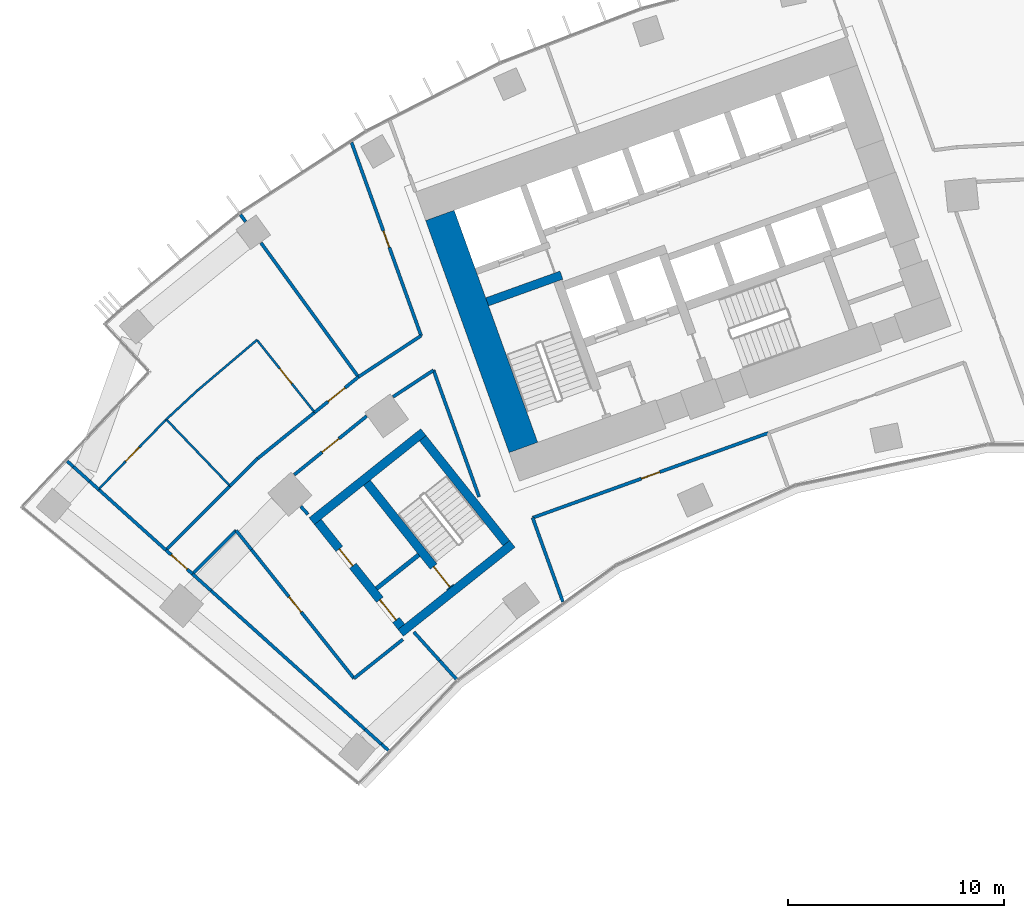
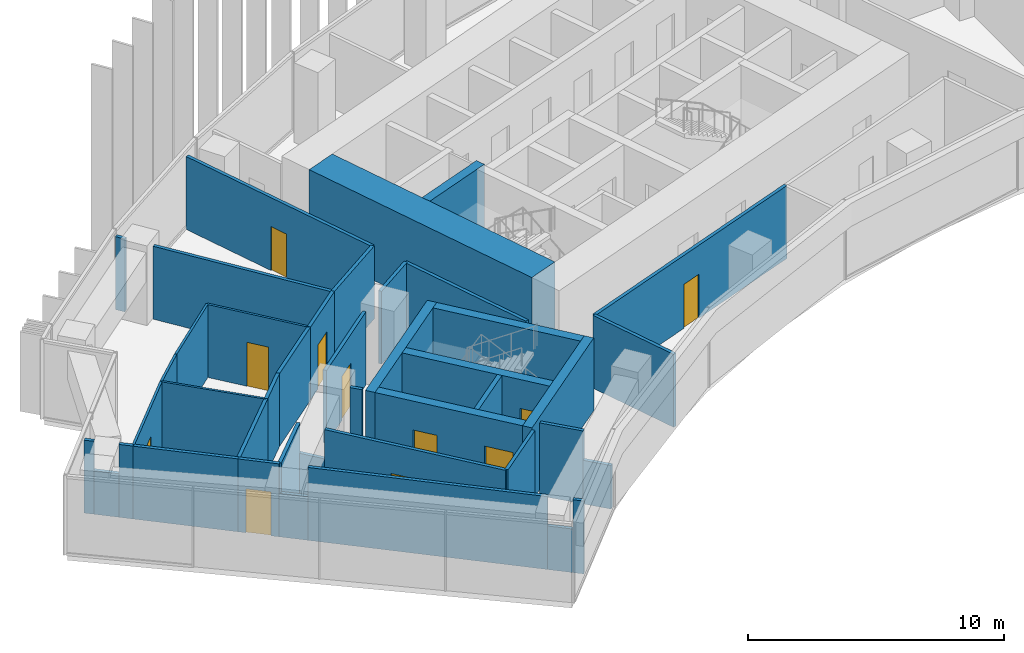
# One storey, part 15 of 22: 42 walls, 11 doors, 11 openings.
"""IFC4 building model written with IfcOpenShell, lengths in metres."""

from ifc_helpers import new_model, si_unit, direction, frame, frame_2d, origin, place, context, subcontext, project, spatial, rectangle, extrude, material, layer, layer_set, type_object, element, fill, save


model = new_model("IFC4")

# Units and contexts
model_context = context("Model", 3, precision=1e-05, world=origin(), true_north=direction((0.0, 1.0)))
body_context = subcontext(model_context, "Body", "Model", "MODEL_VIEW")
ifc_project = project(units=[si_unit("LENGTHUNIT", "METRE"), si_unit("AREAUNIT", "SQUARE_METRE"), si_unit("VOLUMEUNIT", "CUBIC_METRE"), si_unit("PLANEANGLEUNIT", "RADIAN"), si_unit("MASSUNIT", "GRAM", prefix="KILO")], contexts=[model_context])

# Site, building, storey
site_placement = place(None, origin())
site = spatial("IfcSite", under=ifc_project, at=site_placement, CompositionType="ELEMENT")
building_placement = place(site_placement, origin())
building = spatial("IfcBuilding", under=site, at=building_placement, Name="Stone Belt Terrace Tower", CompositionType="ELEMENT")
storey_placement = place(building_placement, frame((0.0, 0.0, 109.800048828125)))
storey = spatial("IfcBuildingStorey", under=building, at=storey_placement, Name="L26", CompositionType="ELEMENT", Elevation=109.800048828125)

# Wall
ifc_material_1 = material(Name="Concrete B80", Category="concrete")
ifc_layer_1 = layer(ifc_material_1, 1.39990234375)
ifc_layer_set_1 = layer_set([ifc_layer_1], Name="Core wall 1400 B80")
wall_type_1 = type_object("IfcWallType", Name="Core wall 1400 B80", PredefinedType="SHEAR", material=ifc_layer_set_1)
wall_1_placement = place(storey_placement, frame((-26.00927734375, 43.03515625, 0.0), z_axis=(0.0, 0.0, 1.0), x_axis=(-0.338625431531, 0.940921259788, 0.0)))
element("IfcWall", 1, at=wall_1_placement, inside=storey, type_object=wall_type_1, Name="Core A wall end_a L26", PredefinedType="SHEAR", context=body_context, shape_type="SweptSolid", body=[
    extrude(rectangle(XDim=11.400146484375, YDim=1.39990234375, at=frame_2d((5.7001953125, 0.0))), origin(), (0.0, 0.0, 1.0), 3.800048828125),
])

# Wall, opening, door
ifc_material_2 = material(Name="Gypsum board partition")
ifc_layer_2 = layer(ifc_material_2, 0.10009765625)
ifc_layer_set_2 = layer_set([ifc_layer_2], Name="PARTITION 100")
wall_type_2 = type_object("IfcWallType", Name="PARTITION 100", PredefinedType="PARTITIONING", material=ifc_layer_set_2)
wall_2_placement = place(storey_placement, frame((-42.51611328125, 44.3330078125, 0.0), z_axis=(0.0, 0.0, 1.0), x_axis=(-0.695786469122, -0.718248696057, 0.0)))
wall_2 = element("IfcWall", 2, at=wall_2_placement, inside=storey, type_object=wall_type_2, Name="L26/wall/i045", PredefinedType="PARTITIONING", context=body_context, shape_type="SweptSolid", body=[
    extrude(rectangle(XDim=4.499755859375, YDim=0.10009765625, at=frame_2d((2.25, 0.0))), origin(), (0.0, 0.0, 1.0), 3.47998046875),
])
opening_1_placement = place(wall_2_placement, frame((1.800048828125, 0.0, 0.0)))
opening_1 = element("IfcOpeningElement", 3, at=opening_1_placement, cuts=wall_2, Name="Opening D-B3-14", PredefinedType="OPENING", context=body_context, shape_type="SweptSolid", body=[
    extrude(rectangle(XDim=0.89990234375, YDim=2.10009765625, at=frame_2d((0.449951171875, 1.050048828125))), frame((0.0, 0.06005859375, 0.0), z_axis=(0.0, -1.0, 0.0), x_axis=(1.0, 0.0, 0.0)), (0.0, 0.0, 1.0), 0.1201171875),
])
ifc_material_3 = material(Name="Timber door leaf", Category="wood")
door_type_1 = type_object("IfcDoorType", Name="OFFICE DOOR 900 X 2100", OperationType="NOTDEFINED", PredefinedType="DOOR", material=ifc_material_3)
door_1_placement = place(opening_1_placement, origin())
door_1 = element("IfcDoor", 4, at=door_1_placement, inside=storey, type_object=door_type_1, Name="L26/door/i14", OperationType="SINGLE_SWING_RIGHT", OverallHeight=2.10009765625, OverallWidth=0.89990234375, PredefinedType="DOOR", context=body_context, shape_type="SweptSolid", body=[
    extrude(rectangle(XDim=0.89990234375, YDim=2.10009765625, at=frame_2d((0.449951171875, 1.050048828125))), frame((0.0, 0.02490234375, 0.0), z_axis=(0.0, -1.0, 0.0), x_axis=(1.0, 0.0, 0.0)), (0.0, 0.0, 1.0), 0.050048828125),
])
fill(opening_1, door_1)

wall_3_placement = place(storey_placement, frame((-35.656005859375, 44.659912109375, 0.0), z_axis=(0.0, 0.0, 1.0), x_axis=(-0.623775758154, 0.781603354356, 0.0)))
wall_3 = element("IfcWall", 5, at=wall_3_placement, inside=storey, type_object=wall_type_2, Name="L26/wall/i046", PredefinedType="PARTITIONING", context=body_context, shape_type="SweptSolid", body=[
    extrude(rectangle(XDim=4.277099609375, YDim=0.10009765625, at=frame_2d((2.138671875, 0.0))), origin(), (0.0, 0.0, 1.0), 3.47998046875),
])
opening_2_placement = place(wall_3_placement, frame((1.6884765625, 0.0, 0.0)))
opening_2 = element("IfcOpeningElement", 6, at=opening_2_placement, cuts=wall_3, Name="Opening D-B3-15", PredefinedType="OPENING", context=body_context, shape_type="SweptSolid", body=[
    extrude(rectangle(XDim=0.89990234375, YDim=2.10009765625, at=frame_2d((0.449951171875, 1.050048828125))), frame((0.0, 0.06005859375, 0.0), z_axis=(0.0, -1.0, 0.0), x_axis=(1.0, 0.0, 0.0)), (0.0, 0.0, 1.0), 0.1201171875),
])
door_2_placement = place(opening_2_placement, origin())
door_2 = element("IfcDoor", 7, at=door_2_placement, inside=storey, type_object=door_type_1, Name="L26/door/i15", OperationType="SINGLE_SWING_RIGHT", OverallHeight=2.10009765625, OverallWidth=0.89990234375, PredefinedType="DOOR", context=body_context, shape_type="SweptSolid", body=[
    extrude(rectangle(XDim=0.89990234375, YDim=2.10009765625, at=frame_2d((0.449951171875, 1.050048828125))), frame((0.0, 0.02490234375, 0.0), z_axis=(0.0, -1.0, 0.0), x_axis=(1.0, 0.0, 0.0)), (0.0, 0.0, 1.0), 0.050048828125),
])
fill(opening_2, door_2)

# Walls
wall_4_placement = place(storey_placement, frame((-38.323974609375, 48.0029296875, 0.0), z_axis=(0.0, 0.0, 1.0), x_axis=(-0.762559241706, -0.646918389667, 0.0)))
element("IfcWall", 8, at=wall_4_placement, inside=storey, type_object=wall_type_2, Name="L26/wall/i047", PredefinedType="PARTITIONING", context=body_context, shape_type="SweptSolid", body=[
    extrude(rectangle(XDim=3.641845703125, YDim=0.10009765625, at=frame_2d((1.82080078125, 0.0))), origin(), (0.0, 0.0, 1.0), 3.47998046875),
])
wall_5_placement = place(storey_placement, frame((-41.10107421875, 45.64697265625, 0.0), z_axis=(0.0, 0.0, 1.0), x_axis=(-0.732793491626, -0.680451099367, 0.0)))
element("IfcWall", 9, at=wall_5_placement, inside=storey, type_object=wall_type_2, Name="L26/wall/i048", PredefinedType="PARTITIONING", context=body_context, shape_type="SweptSolid", body=[
    extrude(rectangle(XDim=1.930908203125, YDim=0.10009765625, at=frame_2d((0.96533203125, 0.0))), origin(), (0.0, 0.0, 1.0), 3.47998046875),
])
wall_6_placement = place(storey_placement, frame((-42.51611328125, 44.3330078125, 0.0), z_axis=(0.0, 0.0, 1.0), x_axis=(0.692188688201, -0.72171657867, 0.0)))
element("IfcWall", 10, at=wall_6_placement, inside=storey, type_object=wall_type_2, Name="L26/wall/i049", PredefinedType="PARTITIONING", context=body_context, shape_type="SweptSolid", body=[
    extrude(rectangle(XDim=4.266357421875, YDim=0.10009765625, at=frame_2d((2.13330078125, 0.0))), origin(), (0.0, 0.0, 1.0), 3.47998046875),
])
ifc_layer_3 = layer(ifc_material_2, 0.14990234375)
ifc_layer_set_3 = layer_set([ifc_layer_3], Name="PARTITION 150 EI 60")
wall_type_3 = type_object("IfcWallType", Name="PARTITION 150 EI 60", PredefinedType="PARTITIONING", material=ifc_layer_set_3)
wall_7_placement = place(storey_placement, frame((-25.5859375, 39.79296875, 0.0), z_axis=(0.0, 0.0, 1.0), x_axis=(0.338545933013, -0.940949866486, 0.0)))
element("IfcWall", 11, at=wall_7_placement, inside=storey, type_object=wall_type_3, Name="L26/wall/i001", PredefinedType="PARTITIONING", context=body_context, shape_type="SweptSolid", body=[
    extrude(rectangle(XDim=4.135009765625, YDim=0.14990234375, at=frame_2d((2.0673828125, 0.0))), origin(), (0.0, 0.0, 1.0), 3.47998046875),
])
wall_8_placement = place(storey_placement, frame((-28.05810546875, 40.75390625, 0.0), z_axis=(0.0, 0.0, 1.0), x_axis=(-0.338523697563, 0.94095786632, 0.0)))
element("IfcWall", 12, at=wall_8_placement, inside=storey, type_object=wall_type_3, Name="L26/wall/i003", PredefinedType="PARTITIONING", context=body_context, shape_type="SweptSolid", body=[
    extrude(rectangle(XDim=6.226806640625, YDim=0.14990234375, at=frame_2d((3.11328125, 0.0))), origin(), (0.0, 0.0, 1.0), 3.47998046875),
])
wall_9_placement = place(storey_placement, frame((-29.107177734375, 32.32666015625, 0.0), z_axis=(0.0, 0.0, 1.0), x_axis=(-0.669175967733, 0.743103979406, 0.0)))
element("IfcWall", 13, at=wall_9_placement, inside=storey, type_object=wall_type_3, Name="L26/wall/i004-2", PredefinedType="PARTITIONING", context=body_context, shape_type="SweptSolid", body=[
    extrude(rectangle(XDim=1.149169921875, YDim=0.14990234375, at=frame_2d((0.57470703125, 0.0))), origin(), (0.0, 0.0, 1.0), 2.079833984375),
])
wall_10_placement = place(storey_placement, frame((-29.876220703125, 33.1806640625, 0.0), z_axis=(0.0, 0.0, 1.0), x_axis=(-0.669289560428, 0.743001671803, 0.0)))
element("IfcWall", 14, at=wall_10_placement, inside=storey, type_object=wall_type_3, Name="L26/wall/i004-3", PredefinedType="PARTITIONING", context=body_context, shape_type="SweptSolid", body=[
    extrude(rectangle(XDim=1.78515625, YDim=0.14990234375, at=frame_2d((0.892578125, 0.0))), origin(), (0.0, 0.0, 1.0), 3.47998046875),
])

# Wall, opening, door
wall_11_placement = place(storey_placement, frame((-30.737060546875, 48.197021484375, 0.0), z_axis=(0.0, 0.0, 1.0), x_axis=(-0.338586530295, 0.940935258933, 0.0)))
wall_11 = element("IfcWall", 15, at=wall_11_placement, inside=storey, type_object=wall_type_3, Name="L26/wall/i005", PredefinedType="PARTITIONING", context=body_context, shape_type="SweptSolid", body=[
    extrude(rectangle(XDim=9.494873046875, YDim=0.14990234375, at=frame_2d((4.74755859375, 0.0))), origin(), (0.0, 0.0, 1.0), 3.47998046875),
])
opening_3_placement = place(wall_11_placement, frame((4.347412109375, 0.0, 0.0)))
opening_3 = element("IfcOpeningElement", 16, at=opening_3_placement, cuts=wall_11, Name="Opening D-B3-12", PredefinedType="OPENING", context=body_context, shape_type="SweptSolid", body=[
    extrude(rectangle(XDim=0.800048828125, YDim=2.10009765625, at=frame_2d((0.39990234375, 1.050048828125))), frame((0.0, 0.0849609375, 0.0), z_axis=(0.0, -1.0, 0.0), x_axis=(1.0, 0.0, 0.0)), (0.0, 0.0, 1.0), 0.169921875),
])
door_type_2 = type_object("IfcDoorType", Name="STORE DOOR 800 X 2100", OperationType="NOTDEFINED", PredefinedType="DOOR", material=ifc_material_3)
door_3_placement = place(opening_3_placement, origin())
door_3 = element("IfcDoor", 17, at=door_3_placement, inside=storey, type_object=door_type_2, Name="L26/door/i12", OperationType="SINGLE_SWING_RIGHT", OverallHeight=2.10009765625, OverallWidth=0.800048828125, PredefinedType="DOOR", context=body_context, shape_type="SweptSolid", body=[
    extrude(rectangle(XDim=0.800048828125, YDim=2.10009765625, at=frame_2d((0.39990234375, 1.050048828125))), frame((0.0, 0.02490234375, 0.0), z_axis=(0.0, -1.0, 0.0), x_axis=(1.0, 0.0, 0.0)), (0.0, 0.0, 1.0), 0.050048828125),
])
fill(opening_3, door_3)

wall_12_placement = place(storey_placement, frame((-14.68603515625, 43.708984375, 0.0), z_axis=(0.0, 0.0, 1.0), x_axis=(-0.940925563116, -0.338613473854, 0.0)))
wall_12 = element("IfcWall", 18, at=wall_12_placement, inside=storey, type_object=wall_type_3, Name="L26/wall/i010", PredefinedType="PARTITIONING", context=body_context, shape_type="SweptSolid", body=[
    extrude(rectangle(XDim=11.582275390625, YDim=0.14990234375, at=frame_2d((5.791015625, 0.0))), origin(), (0.0, 0.0, 1.0), 3.47998046875),
])
opening_4_placement = place(wall_12_placement, frame((5.341064453125, 0.0, 0.0)))
opening_4 = element("IfcOpeningElement", 19, at=opening_4_placement, cuts=wall_12, Name="Opening D-B3-01", PredefinedType="OPENING", context=body_context, shape_type="SweptSolid", body=[
    extrude(rectangle(XDim=0.89990234375, YDim=2.10009765625, at=frame_2d((0.449951171875, 1.050048828125))), frame((0.0, 0.0849609375, 0.0), z_axis=(0.0, -1.0, 0.0), x_axis=(1.0, 0.0, 0.0)), (0.0, 0.0, 1.0), 0.169921875),
])
door_4_placement = place(opening_4_placement, origin())
door_4 = element("IfcDoor", 20, at=door_4_placement, inside=storey, type_object=door_type_1, Name="L26/door/i01", OperationType="SINGLE_SWING_RIGHT", OverallHeight=2.10009765625, OverallWidth=0.89990234375, PredefinedType="DOOR", context=body_context, shape_type="SweptSolid", body=[
    extrude(rectangle(XDim=0.89990234375, YDim=2.10009765625, at=frame_2d((0.449951171875, 1.050048828125))), frame((0.0, 0.02490234375, 0.0), z_axis=(0.0, -1.0, 0.0), x_axis=(1.0, 0.0, 0.0)), (0.0, 0.0, 1.0), 0.050048828125),
])
fill(opening_4, door_4)

wall_13_placement = place(storey_placement, frame((-41.2958984375, 37.18310546875, 0.0), z_axis=(0.0, 0.0, 1.0), x_axis=(-0.74296518681, 0.669330061471, 0.0)))
wall_13 = element("IfcWall", 21, at=wall_13_placement, inside=storey, type_object=wall_type_3, Name="L26/wall/i028", PredefinedType="PARTITIONING", context=body_context, shape_type="SweptSolid", body=[
    extrude(rectangle(XDim=1.6611328125, YDim=0.14990234375, at=frame_2d((0.83056640625, 0.0))), origin(), (0.0, 0.0, 1.0), 3.47998046875),
])
opening_5_placement = place(wall_13_placement, frame((0.33056640625, 0.0, 0.0)))
opening_5 = element("IfcOpeningElement", 22, at=opening_5_placement, cuts=wall_13, Name="Opening D-B3-09", PredefinedType="OPENING", context=body_context, shape_type="SweptSolid", body=[
    extrude(rectangle(XDim=1.0, YDim=2.10009765625, at=frame_2d((0.5, 1.050048828125))), frame((0.0, 0.0849609375, 0.0), z_axis=(0.0, -1.0, 0.0), x_axis=(1.0, 0.0, 0.0)), (0.0, 0.0, 1.0), 0.169921875),
])
ifc_material_4 = material(Name="Timber fire door leaf", Category="wood")
door_type_3 = type_object("IfcDoorType", Name="TENANCY ENTRANCE DOOR 1000 X 2100", OperationType="NOTDEFINED", PredefinedType="DOOR", material=ifc_material_4)
door_5_placement = place(opening_5_placement, origin())
door_5 = element("IfcDoor", 23, at=door_5_placement, inside=storey, type_object=door_type_3, Name="L26/door/i09", OperationType="SINGLE_SWING_RIGHT", OverallHeight=2.10009765625, OverallWidth=1.0, PredefinedType="DOOR", context=body_context, shape_type="SweptSolid", body=[
    extrude(rectangle(XDim=1.0, YDim=2.10009765625, at=frame_2d((0.5, 1.050048828125))), frame((0.0, 0.02490234375, 0.0), z_axis=(0.0, -1.0, 0.0), x_axis=(1.0, 0.0, 0.0)), (0.0, 0.0, 1.0), 0.050048828125),
])
fill(opening_5, door_5)

# Walls
wall_14_placement = place(storey_placement, frame((-41.303955078125, 37.19091796875, 0.0), z_axis=(0.0, 0.0, 1.0), x_axis=(0.743220796128, -0.669046222769, 0.0)))
element("IfcWall", 24, at=wall_14_placement, inside=storey, type_object=wall_type_3, Name="L26/wall/i029-2", PredefinedType="PARTITIONING", context=body_context, shape_type="SweptSolid", body=[
    extrude(rectangle(XDim=1.15869140625, YDim=0.14990234375, at=frame_2d((0.579345703125, 0.0))), origin(), (0.0, 0.0, 1.0), 2.079833984375),
])
wall_15_placement = place(storey_placement, frame((-40.44287109375, 36.415771484375, 0.0), z_axis=(0.0, 0.0, 1.0), x_axis=(0.743112809487, -0.669166162007, 0.0)))
element("IfcWall", 25, at=wall_15_placement, inside=storey, type_object=wall_type_3, Name="L26/wall/i029-3", PredefinedType="PARTITIONING", context=body_context, shape_type="SweptSolid", body=[
    extrude(rectangle(XDim=9.574462890625, YDim=0.14990234375, at=frame_2d((4.787109375, 0.0))), origin(), (0.0, 0.0, 1.0), 3.47998046875),
])
wall_16_placement = place(storey_placement, frame((-33.327880859375, 30.0087890625, 0.0), z_axis=(0.0, 0.0, 1.0), x_axis=(0.743055727947, -0.669229545945, 0.0)))
element("IfcWall", 26, at=wall_16_placement, inside=storey, type_object=wall_type_3, Name="L26/wall/i029-4", PredefinedType="PARTITIONING", context=body_context, shape_type="SweptSolid", body=[
    extrude(rectangle(XDim=1.0185546875, YDim=0.14990234375, at=frame_2d((0.50927734375, 0.0))), origin(), (0.0, 0.0, 1.0), 2.079833984375),
])
wall_17_placement = place(storey_placement, frame((-32.571044921875, 29.3271484375, 0.0), z_axis=(0.0, 0.0, 1.0), x_axis=(0.743069836047, -0.669213881175, 0.0)))
element("IfcWall", 27, at=wall_17_placement, inside=storey, type_object=wall_type_3, Name="L26/wall/i029-5", PredefinedType="PARTITIONING", context=body_context, shape_type="SweptSolid", body=[
    extrude(rectangle(XDim=0.43310546875, YDim=0.14990234375, at=frame_2d((0.216552734375, 0.0))), origin(), (0.0, 0.0, 1.0), 3.47998046875),
])
wall_18_placement = place(storey_placement, frame((-47.09228515625, 42.40283203125, 0.0), z_axis=(0.0, 0.0, 1.0), x_axis=(0.742978305561, -0.669315499198, 0.0)))
element("IfcWall", 28, at=wall_18_placement, inside=storey, type_object=wall_type_3, Name="L26/wall/i030-1", PredefinedType="PARTITIONING", context=body_context, shape_type="SweptSolid", body=[
    extrude(rectangle(XDim=0.384521484375, YDim=0.14990234375, at=frame_2d((0.1923828125, 0.0))), origin(), (0.0, 0.0, 1.0), 3.47998046875),
])
wall_19_placement = place(storey_placement, frame((-46.806640625, 42.1455078125, 0.0), z_axis=(0.0, 0.0, 1.0), x_axis=(0.742930679508, -0.669368363045, 0.0)))
element("IfcWall", 29, at=wall_19_placement, inside=storey, type_object=wall_type_3, Name="L26/wall/i030-2", PredefinedType="PARTITIONING", context=body_context, shape_type="SweptSolid", body=[
    extrude(rectangle(XDim=1.002197265625, YDim=0.14990234375, at=frame_2d((0.5009765625, 0.0))), origin(), (0.0, 0.0, 1.0), 2.079833984375),
])
wall_20_placement = place(storey_placement, frame((-46.06201171875, 41.474609375, 0.0), z_axis=(0.0, 0.0, 1.0), x_axis=(0.742734317415, -0.6695862407, 0.0)))
element("IfcWall", 30, at=wall_20_placement, inside=storey, type_object=wall_type_3, Name="L26/wall/i030-3", PredefinedType="PARTITIONING", context=body_context, shape_type="SweptSolid", body=[
    extrude(rectangle(XDim=0.56396484375, YDim=0.14990234375, at=frame_2d((0.281982421875, 0.0))), origin(), (0.0, 0.0, 1.0), 3.47998046875),
])
wall_21_placement = place(storey_placement, frame((-45.65087890625, 41.10498046875, 0.0), z_axis=(0.0, 0.0, 1.0), x_axis=(0.743074998659, -0.669208148761, 0.0)))
element("IfcWall", 31, at=wall_21_placement, inside=storey, type_object=wall_type_3, Name="L26/wall/i031", PredefinedType="PARTITIONING", context=body_context, shape_type="SweptSolid", body=[
    extrude(rectangle(XDim=4.210693359375, YDim=0.14990234375, at=frame_2d((2.10546875, 0.0))), origin(), (0.0, 0.0, 1.0), 3.47998046875),
])
wall_22_placement = place(storey_placement, frame((-30.1640625, 46.60693359375, 0.0), z_axis=(0.0, 0.0, 1.0), x_axis=(-0.835456606052, -0.549556420583, 0.0)))
element("IfcWall", 32, at=wall_22_placement, inside=storey, type_object=wall_type_3, Name="L26/wall/i032", PredefinedType="PARTITIONING", context=body_context, shape_type="SweptSolid", body=[
    extrude(rectangle(XDim=2.239013671875, YDim=0.14990234375, at=frame_2d((1.11962890625, 0.0))), origin(), (0.0, 0.0, 1.0), 3.47998046875),
])

# Wall, opening, door
wall_23_placement = place(storey_placement, frame((-33.253662109375, 44.485107421875, 0.0), z_axis=(0.0, 0.0, 1.0), x_axis=(-0.777153738144, -0.62931078752, 0.0)))
wall_23 = element("IfcWall", 33, at=wall_23_placement, inside=storey, type_object=wall_type_3, Name="L26/wall/i033", PredefinedType="PARTITIONING", context=body_context, shape_type="SweptSolid", body=[
    extrude(rectangle(XDim=4.30517578125, YDim=0.14990234375, at=frame_2d((2.152587890625, 0.0))), origin(), (0.0, 0.0, 1.0), 3.47998046875),
])
opening_6_placement = place(wall_23_placement, frame((1.652587890625, 0.0, 0.0)))
opening_6 = element("IfcOpeningElement", 34, at=opening_6_placement, cuts=wall_23, Name="Opening D-B3-10", PredefinedType="OPENING", context=body_context, shape_type="SweptSolid", body=[
    extrude(rectangle(XDim=1.0, YDim=2.10009765625, at=frame_2d((0.5, 1.050048828125))), frame((0.0, 0.0849609375, 0.0), z_axis=(0.0, -1.0, 0.0), x_axis=(1.0, 0.0, 0.0)), (0.0, 0.0, 1.0), 0.169921875),
])
door_6_placement = place(opening_6_placement, origin())
door_6 = element("IfcDoor", 35, at=door_6_placement, inside=storey, type_object=door_type_3, Name="L26/door/i10", OperationType="SINGLE_SWING_RIGHT", OverallHeight=2.10009765625, OverallWidth=1.0, PredefinedType="DOOR", context=body_context, shape_type="SweptSolid", body=[
    extrude(rectangle(XDim=1.0, YDim=2.10009765625, at=frame_2d((0.5, 1.050048828125))), frame((0.0, 0.02490234375, 0.0), z_axis=(0.0, -1.0, 0.0), x_axis=(1.0, 0.0, 0.0)), (0.0, 0.0, 1.0), 0.050048828125),
])
fill(opening_6, door_6)

# Walls
wall_24_placement = place(storey_placement, frame((-39.281982421875, 39.205078125, 0.0), z_axis=(0.0, 0.0, 1.0), x_axis=(-0.707106781187, -0.707106781187, 0.0)))
element("IfcWall", 36, at=wall_24_placement, inside=storey, type_object=wall_type_3, Name="L26/wall/i034", PredefinedType="PARTITIONING", context=body_context, shape_type="SweptSolid", body=[
    extrude(rectangle(XDim=2.85400390625, YDim=0.14990234375, at=frame_2d((1.427001953125, 0.0))), origin(), (0.0, 0.0, 1.0), 3.47998046875),
])
wall_25_placement = place(storey_placement, frame((-33.635986328125, 46.2958984375, 0.0), z_axis=(0.0, 0.0, 1.0), x_axis=(0.835274160171, 0.549833681535, 0.0)))
element("IfcWall", 37, at=wall_25_placement, inside=storey, type_object=wall_type_3, Name="L26/wall/i035", PredefinedType="PARTITIONING", context=body_context, shape_type="SweptSolid", body=[
    extrude(rectangle(XDim=3.46826171875, YDim=0.14990234375, at=frame_2d((1.734130859375, 0.0))), origin(), (0.0, 0.0, 1.0), 3.47998046875),
])

# Wall, opening, door
wall_26_placement = place(storey_placement, frame((-35.659912109375, 44.656005859375, 0.0), z_axis=(0.0, 0.0, 1.0), x_axis=(0.776967604898, 0.629540579264, 0.0)))
wall_26 = element("IfcWall", 38, at=wall_26_placement, inside=storey, type_object=wall_type_3, Name="L26/wall/i036", PredefinedType="PARTITIONING", context=body_context, shape_type="SweptSolid", body=[
    extrude(rectangle(XDim=2.60498046875, YDim=0.14990234375, at=frame_2d((1.302490234375, 0.0))), origin(), (0.0, 0.0, 1.0), 3.47998046875),
])
opening_7_placement = place(wall_26_placement, frame((0.802490234375, 0.0, 0.0)))
opening_7 = element("IfcOpeningElement", 39, at=opening_7_placement, cuts=wall_26, Name="Opening D-B3-13", PredefinedType="OPENING", context=body_context, shape_type="SweptSolid", body=[
    extrude(rectangle(XDim=1.0, YDim=2.10009765625, at=frame_2d((0.5, 1.050048828125))), frame((0.0, 0.0849609375, 0.0), z_axis=(0.0, -1.0, 0.0), x_axis=(1.0, 0.0, 0.0)), (0.0, 0.0, 1.0), 0.169921875),
])
door_7_placement = place(opening_7_placement, origin())
door_7 = element("IfcDoor", 40, at=door_7_placement, inside=storey, type_object=door_type_3, Name="L26/door/i13", OperationType="SINGLE_SWING_RIGHT", OverallHeight=2.10009765625, OverallWidth=1.0, PredefinedType="DOOR", context=body_context, shape_type="SweptSolid", body=[
    extrude(rectangle(XDim=1.0, YDim=2.10009765625, at=frame_2d((0.5, 1.050048828125))), frame((0.0, 0.02490234375, 0.0), z_axis=(0.0, -1.0, 0.0), x_axis=(1.0, 0.0, 0.0)), (0.0, 0.0, 1.0), 0.050048828125),
])
fill(opening_7, door_7)

# Walls
wall_27_placement = place(storey_placement, frame((-42.52587890625, 38.291015625, 0.0), z_axis=(0.0, 0.0, 1.0), x_axis=(0.70707768753, 0.707135873646, 0.0)))
element("IfcWall", 41, at=wall_27_placement, inside=storey, type_object=wall_type_3, Name="L26/wall/i037", PredefinedType="PARTITIONING", context=body_context, shape_type="SweptSolid", body=[
    extrude(rectangle(XDim=4.19580078125, YDim=0.14990234375, at=frame_2d((2.097900390625, 0.0))), origin(), (0.0, 0.0, 1.0), 3.47998046875),
])
wall_28_placement = place(storey_placement, frame((-39.56689453125, 41.25, 0.0), z_axis=(0.0, 0.0, 1.0), x_axis=(0.707106781187, 0.707106781187, 0.0)))
element("IfcWall", 42, at=wall_28_placement, inside=storey, type_object=wall_type_3, Name="L26/wall/i038", PredefinedType="PARTITIONING", context=body_context, shape_type="SweptSolid", body=[
    extrude(rectangle(XDim=1.804443359375, YDim=0.14990234375, at=frame_2d((0.90234375, 0.0))), origin(), (0.0, 0.0, 1.0), 3.47998046875),
])
wall_29_placement = place(storey_placement, frame((-38.291015625, 42.52587890625, 0.0), z_axis=(0.0, 0.0, 1.0), x_axis=(0.777110974031, 0.629363594467, 0.0)))
element("IfcWall", 43, at=wall_29_placement, inside=storey, type_object=wall_type_3, Name="L26/wall/i039", PredefinedType="PARTITIONING", context=body_context, shape_type="SweptSolid", body=[
    extrude(rectangle(XDim=3.3974609375, YDim=0.14990234375, at=frame_2d((1.69873046875, 0.0))), origin(), (0.0, 0.0, 1.0), 3.47998046875),
])
wall_30_placement = place(storey_placement, frame((-36.297119140625, 40.311767578125, 0.0), z_axis=(0.0, 0.0, 1.0), x_axis=(0.669100229536, -0.743172175768, 0.0)))
element("IfcWall", 44, at=wall_30_placement, inside=storey, type_object=wall_type_3, Name="L26/wall/i040", PredefinedType="PARTITIONING", context=body_context, shape_type="SweptSolid", body=[
    extrude(rectangle(XDim=0.497802734375, YDim=0.14990234375, at=frame_2d((0.2490234375, 0.0))), origin(), (0.0, 0.0, 1.0), 3.47998046875),
])
wall_31_placement = place(storey_placement, frame((-31.58203125, 34.1640625, 0.0), z_axis=(0.0, 0.0, 1.0), x_axis=(-0.78211299795, -0.623136629029, 0.0)))
element("IfcWall", 45, at=wall_31_placement, inside=storey, type_object=wall_type_3, Name="L26/wall/i041", PredefinedType="PARTITIONING", context=body_context, shape_type="SweptSolid", body=[
    extrude(rectangle(XDim=2.88720703125, YDim=0.14990234375, at=frame_2d((1.443603515625, 0.0))), origin(), (0.0, 0.0, 1.0), 3.47998046875),
])

# Wall, opening, door
wall_32_placement = place(storey_placement, frame((-33.841064453125, 32.365966796875, 0.0), z_axis=(0.0, 0.0, 1.0), x_axis=(-0.623069686402, 0.782166328786, 0.0)))
wall_32 = element("IfcWall", 46, at=wall_32_placement, inside=storey, type_object=wall_type_3, Name="L26/wall/i042-1", PredefinedType="PARTITIONING", context=body_context, shape_type="SweptSolid", body=[
    extrude(rectangle(XDim=7.608154296875, YDim=0.14990234375, at=frame_2d((3.80419921875, 0.0))), origin(), (0.0, 0.0, 1.0), 3.47998046875),
])
opening_8_placement = place(wall_32_placement, frame((3.91943359375, 0.0, 0.0)))
opening_8 = element("IfcOpeningElement", 47, at=opening_8_placement, cuts=wall_32, Name="Opening D-B3-11", PredefinedType="OPENING", context=body_context, shape_type="SweptSolid", body=[
    extrude(rectangle(XDim=0.89990234375, YDim=2.10009765625, at=frame_2d((0.449951171875, 1.050048828125))), frame((0.0, 0.0849609375, 0.0), z_axis=(0.0, -1.0, 0.0), x_axis=(1.0, 0.0, 0.0)), (0.0, 0.0, 1.0), 0.169921875),
])
door_8_placement = place(opening_8_placement, origin())
door_8 = element("IfcDoor", 48, at=door_8_placement, inside=storey, type_object=door_type_1, Name="L26/door/i11", OperationType="SINGLE_SWING_RIGHT", OverallHeight=2.10009765625, OverallWidth=0.89990234375, PredefinedType="DOOR", context=body_context, shape_type="SweptSolid", body=[
    extrude(rectangle(XDim=0.89990234375, YDim=2.10009765625, at=frame_2d((0.449951171875, 1.050048828125))), frame((0.0, 0.02490234375, 0.0), z_axis=(0.0, -1.0, 0.0), x_axis=(1.0, 0.0, 0.0)), (0.0, 0.0, 1.0), 0.050048828125),
])
fill(opening_8, door_8)

# Walls
wall_33_placement = place(storey_placement, frame((-38.58154296875, 38.31689453125, 0.0), z_axis=(0.0, 0.0, 1.0), x_axis=(-0.62313971461, 0.78211053955, 0.0)))
element("IfcWall", 49, at=wall_33_placement, inside=storey, type_object=wall_type_3, Name="L26/wall/i042-2", PredefinedType="PARTITIONING", context=body_context, shape_type="SweptSolid", body=[
    extrude(rectangle(XDim=1.13037109375, YDim=0.14990234375, at=frame_2d((0.565185546875, 0.0))), origin(), (0.0, 0.0, 1.0), 2.079833984375),
])
wall_34_placement = place(storey_placement, frame((-33.635986328125, 46.2958984375, 0.0), z_axis=(0.0, 0.0, 1.0), x_axis=(-0.587771704289, 0.809026837402, 0.0)))
element("IfcWall", 50, at=wall_34_placement, inside=storey, type_object=wall_type_3, Name="L26/wall/i043", PredefinedType="PARTITIONING", context=body_context, shape_type="SweptSolid", body=[
    extrude(rectangle(XDim=7.658935546875, YDim=0.14990234375, at=frame_2d((3.82958984375, 0.0))), origin(), (0.0, 0.0, 1.0), 3.47998046875),
])
wall_35_placement = place(storey_placement, frame((-38.848876953125, 53.47119140625, 0.0), z_axis=(0.0, 0.0, 1.0), x_axis=(-0.588207421816, 0.808710101904, 0.0)))
element("IfcWall", 51, at=wall_35_placement, inside=storey, type_object=wall_type_3, Name="L26/wall/i044", PredefinedType="PARTITIONING", context=body_context, shape_type="SweptSolid", body=[
    extrude(rectangle(XDim=0.40625, YDim=0.14990234375, at=frame_2d((0.203125, 0.0))), origin(), (0.0, 0.0, 1.0), 3.47998046875),
])
ifc_material_5 = material(Name="Concrete masonry block", Category="masonry")
ifc_layer_4 = layer(ifc_material_5, 0.199951171875)
ifc_layer_set_4 = layer_set([ifc_layer_4], Name="Rated lobby wall 200")
wall_type_4 = type_object("IfcWallType", Name="Rated lobby wall 200", PredefinedType="PARTITIONING", material=ifc_layer_set_4)
wall_36_placement = place(storey_placement, frame((-30.845703125, 38.074951171875, 0.0), z_axis=(0.0, 0.0, 1.0), x_axis=(-0.782115323833, -0.623133709749, 0.0)))
element("IfcWall", 52, at=wall_36_placement, inside=storey, type_object=wall_type_4, Name="Exit stair ST3A wall", PredefinedType="PARTITIONING", context=body_context, shape_type="SweptSolid", body=[
    extrude(rectangle(XDim=2.5, YDim=0.199951171875, at=frame_2d((1.25, 0.0))), origin(), (0.0, 0.0, 1.0), 3.47998046875),
])
ifc_layer_5 = layer(ifc_material_1, 0.39990234375)
ifc_layer_set_5 = layer_set([ifc_layer_5], Name="Stair enclosure wall 400")
wall_type_5 = type_object("IfcWallType", Name="Stair enclosure wall 400", PredefinedType="SHEAR", material=ifc_layer_set_5)
wall_37_placement = place(storey_placement, frame((-27.687255859375, 49.764404296875, 0.0), z_axis=(0.0, 0.0, 1.0), x_axis=(0.940918954884, 0.338631835981, 0.0)))
element("IfcWall", 53, at=wall_37_placement, inside=storey, type_object=wall_type_5, Name="Core A wall", PredefinedType="SHEAR", context=body_context, shape_type="SweptSolid", body=[
    extrude(rectangle(XDim=3.650146484375, YDim=0.39990234375, at=frame_2d((1.8251953125, 0.0))), origin(), (0.0, 0.0, 1.0), 3.47998046875),
])
for number, where, z_axis, x_axis, name in (
    (54, (-26.518798828125, 38.58154296875, 0.0), (0.0, 0.0, 1.0), (-0.782133914161, -0.623110375711, 0.0), "Exit stair ST3A wall"),
    (55, (-30.63134765625, 43.74365234375, 0.0), (0.0, 0.0, 1.0), (-0.782133914161, -0.623110375711, 0.0), "Exit stair ST3A wall"),
):
    element("IfcWall", number, at=place(storey_placement, frame(where, z_axis=z_axis, x_axis=x_axis)), inside=storey, type_object=wall_type_5, Name=name, PredefinedType="SHEAR", context=body_context, shape_type="SweptSolid", body=[
        extrude(rectangle(XDim=6.60009765625, YDim=0.39990234375, at=frame_2d((3.300048828125, 0.0))), origin(), (0.0, 0.0, 1.0), 3.47998046875),
    ])
wall_38_placement = place(storey_placement, frame((-26.7998046875, 38.61328125, 0.0), z_axis=(0.0, 0.0, 1.0), x_axis=(-0.623118653668, 0.782127319208, 0.0)))
element("IfcWall", 56, at=wall_38_placement, inside=storey, type_object=wall_type_5, Name="Exit stair ST3A wall", PredefinedType="SHEAR", context=body_context, shape_type="SweptSolid", body=[
    extrude(rectangle(XDim=6.199951171875, YDim=0.39990234375, at=frame_2d((3.10009765625, 0.0))), origin(), (0.0, 0.0, 1.0), 3.47998046875),
])

# Wall, openings, doors
wall_39_placement = place(storey_placement, frame((-31.64892578125, 34.75, 0.0), z_axis=(0.0, 0.0, 1.0), x_axis=(-0.623118653668, 0.782127319208, 0.0)))
wall_39 = element("IfcWall", 57, at=wall_39_placement, inside=storey, type_object=wall_type_5, Name="Exit stair ST3A wall", PredefinedType="SHEAR", context=body_context, shape_type="SweptSolid", body=[
    extrude(rectangle(XDim=6.199951171875, YDim=0.39990234375, at=frame_2d((3.10009765625, 0.0))), origin(), (0.0, 0.0, 1.0), 3.47998046875),
])
opening_9_placement = place(wall_39_placement, frame((0.39990234375, 0.0, 0.0)))
opening_9 = element("IfcOpeningElement", 58, at=opening_9_placement, cuts=wall_39, Name="Opening L26-C20", PredefinedType="OPENING", context=body_context, shape_type="SweptSolid", body=[
    extrude(rectangle(XDim=1.199951171875, YDim=2.10009765625, at=frame_2d((0.60009765625, 1.050048828125))), frame((0.0, 0.2099609375, 0.0), z_axis=(0.0, -1.0, 0.0), x_axis=(1.0, 0.0, 0.0)), (0.0, 0.0, 1.0), 0.419921875),
])
opening_10_placement = place(wall_39_placement, frame((3.60009765625, 0.0, 0.0)))
opening_10 = element("IfcOpeningElement", 59, at=opening_10_placement, cuts=wall_39, Name="Opening L26-C21", PredefinedType="OPENING", context=body_context, shape_type="SweptSolid", body=[
    extrude(rectangle(XDim=1.0, YDim=2.10009765625, at=frame_2d((0.5, 1.050048828125))), frame((0.0, 0.2099609375, 0.0), z_axis=(0.0, -1.0, 0.0), x_axis=(1.0, 0.0, 0.0)), (0.0, 0.0, 1.0), 0.419921875),
])
door_type_4 = type_object("IfcDoorType", Name="Core room door 1000", OperationType="SINGLE_SWING_LEFT", PredefinedType="DOOR", material=ifc_material_3)
door_9_placement = place(opening_10_placement, origin())
door_9 = element("IfcDoor", 60, at=door_9_placement, inside=storey, type_object=door_type_4, Name="Door to stair pressurisation plant room ST3A", OperationType="SINGLE_SWING_RIGHT", OverallHeight=2.10009765625, OverallWidth=1.0, PredefinedType="DOOR", context=body_context, shape_type="SweptSolid", body=[
    extrude(rectangle(XDim=1.0, YDim=2.10009765625, at=frame_2d((0.5, 1.050048828125))), frame((0.0, 0.02490234375, 0.0), z_axis=(0.0, -1.0, 0.0), x_axis=(1.0, 0.0, 0.0)), (0.0, 0.0, 1.0), 0.050048828125),
])
fill(opening_10, door_9)
ifc_material_6 = material(Name="Steel door leaf", Category="steel")
door_type_5 = type_object("IfcDoorType", Name="Stair airlock door 1200", OperationType="SINGLE_SWING_LEFT", PredefinedType="DOOR", material=ifc_material_6)
door_10_placement = place(opening_9_placement, origin())
door_10 = element("IfcDoor", 61, at=door_10_placement, inside=storey, type_object=door_type_5, Name="Stair airlock door ST3A", OperationType="SINGLE_SWING_RIGHT", OverallHeight=2.10009765625, OverallWidth=1.199951171875, PredefinedType="DOOR", context=body_context, shape_type="SweptSolid", body=[
    extrude(rectangle(XDim=1.199951171875, YDim=2.10009765625, at=frame_2d((0.60009765625, 1.050048828125))), frame((0.0, 0.02490234375, 0.0), z_axis=(0.0, -1.0, 0.0), x_axis=(1.0, 0.0, 0.0)), (0.0, 0.0, 1.0), 0.050048828125),
])
fill(opening_9, door_10)

# Wall, opening, door
wall_40_placement = place(storey_placement, frame((-29.380859375, 36.556884765625, 0.0), z_axis=(0.0, 0.0, 1.0), x_axis=(-0.623099462847, 0.782142608097, 0.0)))
wall_40 = element("IfcWall", 62, at=wall_40_placement, inside=storey, type_object=wall_type_5, Name="Exit stair ST3A wall", PredefinedType="SHEAR", context=body_context, shape_type="SweptSolid", body=[
    extrude(rectangle(XDim=6.2001953125, YDim=0.39990234375, at=frame_2d((3.10009765625, 0.0))), origin(), (0.0, 0.0, 1.0), 3.47998046875),
])
opening_11_placement = place(wall_40_placement, frame((0.050048828125, 0.0, 0.0)))
opening_11 = element("IfcOpeningElement", 63, at=opening_11_placement, cuts=wall_40, Name="Opening L26-C19", PredefinedType="OPENING", context=body_context, shape_type="SweptSolid", body=[
    extrude(rectangle(XDim=1.199951171875, YDim=2.10009765625, at=frame_2d((0.60009765625, 1.050048828125))), frame((0.0, 0.2099609375, 0.0), z_axis=(0.0, -1.0, 0.0), x_axis=(1.0, 0.0, 0.0)), (0.0, 0.0, 1.0), 0.419921875),
])
door_type_6 = type_object("IfcDoorType", Name="Stair door 1200", OperationType="SINGLE_SWING_LEFT", PredefinedType="DOOR", material=ifc_material_6)
door_11_placement = place(opening_11_placement, origin())
door_11 = element("IfcDoor", 64, at=door_11_placement, inside=storey, type_object=door_type_6, Name="Stair door ST3A", OperationType="SINGLE_SWING_LEFT", OverallHeight=2.10009765625, OverallWidth=1.199951171875, PredefinedType="DOOR", context=body_context, shape_type="SweptSolid", body=[
    extrude(rectangle(XDim=1.199951171875, YDim=2.10009765625, at=frame_2d((0.60009765625, 1.050048828125))), frame((0.0, 0.02490234375, 0.0), z_axis=(0.0, -1.0, 0.0), x_axis=(1.0, 0.0, 0.0)), (0.0, 0.0, 1.0), 0.050048828125),
])
fill(opening_11, door_11)

save(model, "model.ifc")
